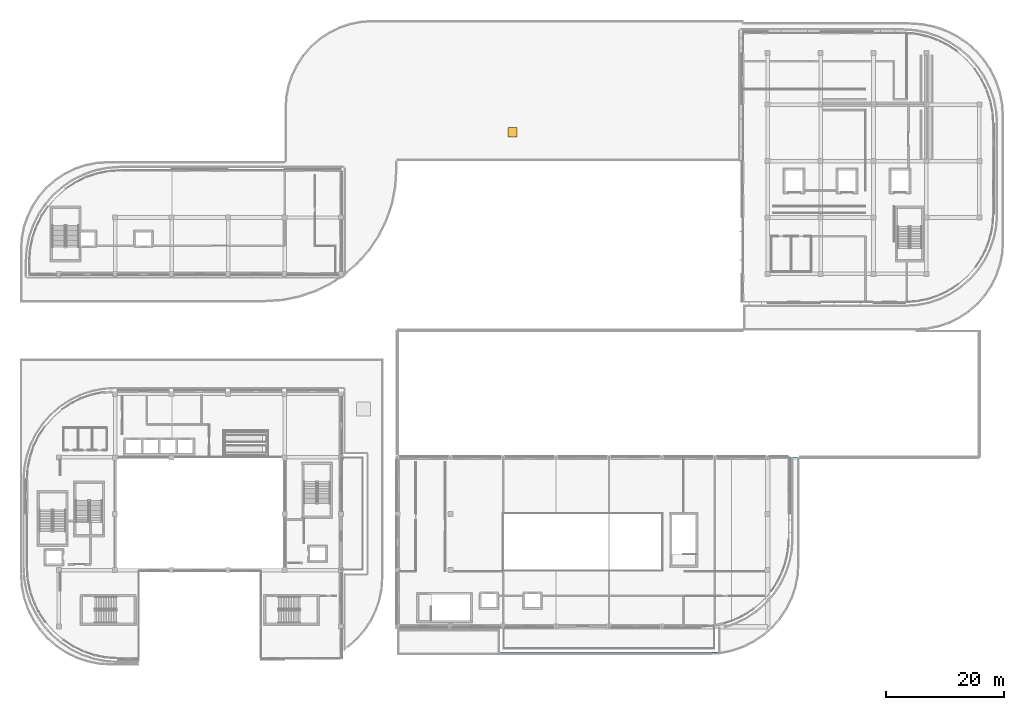
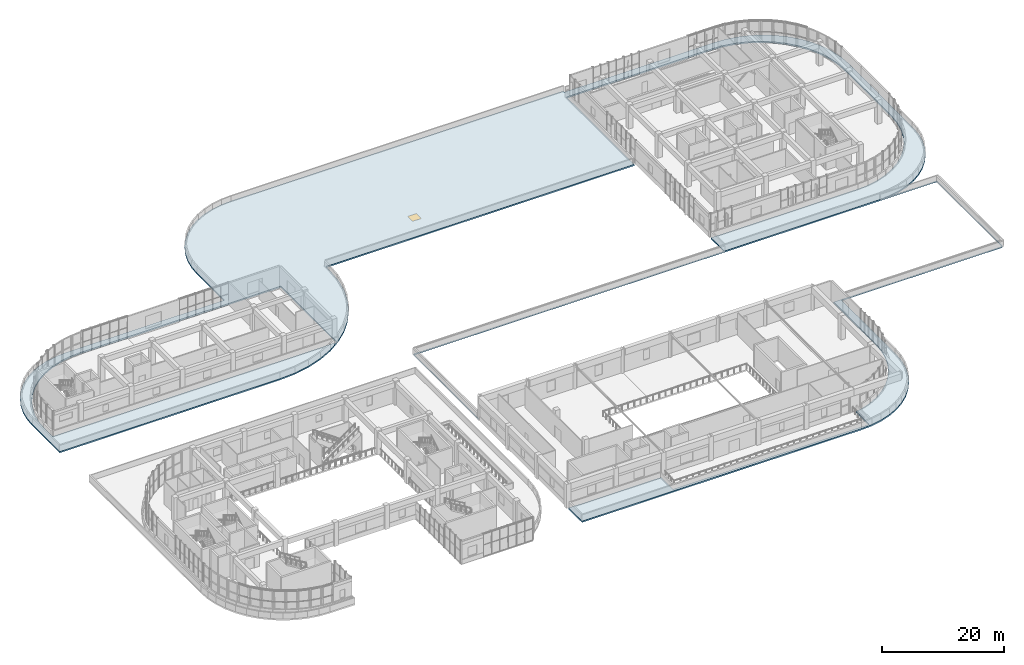
# One storey, part 30 of 67: 1 slab, 1 window, 1 opening.
"""IFC4 building model written with IfcOpenShell, lengths in metres."""

from ifc_helpers import new_model, si_unit, direction, frame, origin, origin_2d, place, context, subcontext, project, spatial, polyline, rectangle, outline, extrude, material, layer, layer_set, type_object, element, fill, save


model = new_model("IFC4")

# Units and contexts
model_context = context("Model", 3, precision=1e-05, world=origin(), true_north=direction((0.0, 1.0)))
body_context = subcontext(model_context, "Body", "Model", "MODEL_VIEW")
ifc_project = project(units=[si_unit("LENGTHUNIT", "METRE"), si_unit("AREAUNIT", "SQUARE_METRE"), si_unit("VOLUMEUNIT", "CUBIC_METRE"), si_unit("PLANEANGLEUNIT", "RADIAN"), si_unit("MASSUNIT", "GRAM", prefix="KILO")], contexts=[model_context])

# Site, building, storey
site_placement = place(None, origin())
site = spatial("IfcSite", under=ifc_project, at=site_placement, CompositionType="ELEMENT")
building_placement = place(site_placement, origin())
building = spatial("IfcBuilding", under=site, at=building_placement, Name="Cendralis Terraced Arcade", CompositionType="ELEMENT")
storey_placement = place(building_placement, frame((0.0, 0.0, 15.0)))
storey = spatial("IfcBuildingStorey", under=building, at=storey_placement, Name="L03", CompositionType="ELEMENT", Elevation=15.0)

# Slab, opening, window
ifc_material_1 = material(Name="Concrete f'c 35 MPa", Category="concrete")
ifc_layer = layer(ifc_material_1, 0.27490234375, Name="SLB-ROOF-275")
ifc_layer_set = layer_set([ifc_layer], Name="Concrete f'c 35 MPa")
slab_type = type_object("IfcSlabType", Name="SLB-ROOF-275", PredefinedType="ROOF", material=ifc_layer_set)
slab_placement = place(storey_placement, frame((0.0, 0.0, -0.27490234375)))
slab = element("IfcSlab", 1, at=slab_placement, inside=storey, type_object=slab_type, Name="Insulated Flat Concrete Roof Slab ROOF-FLAT-L03-1", PredefinedType="ROOF", context=body_context, shape_type="SweptSolid", body=[
    extrude(outline(polyline([(155.61279296875, 64.510986328125), (157.59130859375, 64.904541015625), (159.50146484375, 65.552978515625), (161.310546875, 66.445068359375), (162.987548828125, 67.56591796875), (164.504150390625, 68.895751953125), (165.834228515625, 70.412353515625), (166.954833984375, 72.089599609375), (167.84716796875, 73.898681640625), (168.49560546875, 75.808837890625), (168.888916015625, 77.787109375), (169.02001953125, 79.786376953125), (169.02001953125, 95.11376953125), (168.884765625, 97.177978515625), (168.478515625, 99.220703125), (167.80908203125, 101.192626953125), (166.887939453125, 103.060302734375), (165.73095703125, 104.7919921875), (164.35791015625, 106.35791015625), (162.7919921875, 107.73095703125), (161.060302734375, 108.887939453125), (159.192626953125, 109.80908203125), (157.220703125, 110.478515625), (155.177978515625, 110.884765625), (153.11376953125, 111.02001953125), (125.580078125, 111.02001953125), (125.580078125, 88.800048828125), (67.199951171875, 88.800048828125), (67.199951171875, 87.300048828125), (67.007568359375, 84.36328125), (66.433349609375, 81.4765625), (65.4873046875, 78.689697265625), (64.185546875, 76.050048828125), (62.550537109375, 73.602783203125), (60.60986328125, 71.39013671875), (58.397216796875, 69.449462890625), (58.02001953125, 69.197509765625), (58.02001953125, 87.6201171875), (20.086181640625, 87.6201171875), (18.02197265625, 87.484619140625), (15.9794921875, 87.07861328125), (14.00732421875, 86.408935546875), (12.1396484375, 85.48779296875), (10.407958984375, 84.330810546875), (8.84228515625, 82.957763671875), (7.468994140625, 81.39208984375), (6.31201171875, 79.660400390625), (5.39111328125, 77.792724609375), (4.721435546875, 75.820556640625), (4.315185546875, 73.778076171875), (4.179931640625, 71.713623046875), (4.179931640625, 69.179931640625), (57.993896484375, 69.179931640625), (55.949951171875, 67.814453125), (53.310302734375, 66.5126953125), (50.5234375, 65.566650390625), (47.63671875, 64.992431640625), (44.699951171875, 64.800048828125), (3.0, 64.800048828125), (3.0, 73.800048828125), (3.12841796875, 75.7578125), (3.510986328125, 77.682373046875), (4.141845703125, 79.540283203125), (5.009521484375, 81.300048828125), (6.099609375, 82.931396484375), (7.393310546875, 84.406494140625), (8.86865234375, 85.7001953125), (10.5, 86.790283203125), (12.259765625, 87.658203125), (14.11767578125, 88.288818359375), (16.0419921875, 88.671630859375), (18.0, 88.800048828125), (48.0, 88.800048828125), (48.0, 97.800048828125), (48.12841796875, 99.7578125), (48.510986328125, 101.682373046875), (49.141845703125, 103.540283203125), (50.009521484375, 105.300048828125), (51.099609375, 106.931396484375), (52.393310546875, 108.406494140625), (53.86865234375, 109.7001953125), (55.5, 110.790283203125), (57.259765625, 111.658203125), (59.11767578125, 112.288818359375), (61.0419921875, 112.671630859375), (63.0, 112.800048828125), (126.0, 112.800048828125), (126.0, 112.39990234375), (154.39990234375, 112.39990234375), (156.48828125, 112.26318359375), (158.541015625, 111.854736328125), (160.52294921875, 111.18212890625), (162.39990234375, 110.25634765625), (164.14013671875, 109.09375), (165.713623046875, 107.713623046875), (167.09375, 106.14013671875), (168.25634765625, 104.39990234375), (169.18212890625, 102.52294921875), (169.854736328125, 100.541015625), (170.26318359375, 98.48828125), (170.39990234375, 96.39990234375), (170.39990234375, 75.0), (170.271728515625, 73.0419921875), (169.888916015625, 71.11767578125), (169.25830078125, 69.259765625), (168.390380859375, 67.5), (167.30029296875, 65.86865234375), (166.006591796875, 64.393310546875), (164.531494140625, 63.099609375), (162.89990234375, 62.009521484375), (161.140380859375, 61.141845703125), (159.2822265625, 60.510986328125), (157.35791015625, 60.12841796875), (155.39990234375, 60.0), (166.199951171875, 60.0), (166.199951171875, 38.39990234375), (135.60009765625, 38.39990234375), (135.60009765625, 20.300048828125), (135.46728515625, 18.27685546875), (135.072021484375, 16.288330078125), (134.420166015625, 14.368408203125), (133.5234375, 12.550048828125), (132.39697265625, 10.8642578125), (131.060302734375, 9.33984375), (129.535888671875, 8.0029296875), (127.85009765625, 6.876708984375), (126.031494140625, 5.97998046875), (124.11181640625, 5.328125), (122.123291015625, 4.9326171875), (120.10009765625, 4.800048828125), (67.199951171875, 4.800048828125), (67.199951171875, 9.179931640625), (84.64990234375, 9.179931640625), (84.64990234375, 5.25), (121.75, 5.25), (121.75, 9.497314453125), (122.791259765625, 9.70458984375), (124.701416015625, 10.352783203125), (126.510498046875, 11.2451171875), (128.1875, 12.36572265625), (129.7041015625, 13.69580078125), (131.0341796875, 15.21240234375), (132.15478515625, 16.889404296875), (133.047119140625, 18.698486328125), (133.695556640625, 20.60888671875), (134.089111328125, 22.587158203125), (134.219970703125, 24.586181640625), (134.219970703125, 38.419921875), (166.179931640625, 38.419921875), (166.179931640625, 59.97998046875), (67.219970703125, 59.97998046875), (67.199951171875, 38.820068359375), (67.199951171875, 60.0), (126.0, 60.0), (126.0, 64.3798828125), (153.61376953125, 64.3798828125), (155.61279296875, 64.510986328125)])), origin(), (0.0, 0.0, 1.0), 0.27490234375),
])
opening_placement = place(slab_placement, frame((86.7900390625, 93.68798828125, 0.0)))
opening = element("IfcOpeningElement", 2, at=opening_placement, cuts=slab, Name="Opening SK-04", PredefinedType="OPENING", context=body_context, shape_type="SweptSolid", body=[
    extrude(rectangle(XDim=1.60009765625, YDim=1.60009765625, at=origin_2d()), frame((0.0, 0.0, -0.011962890625)), (0.0, 0.0, 1.0), 0.298828125),
])
ifc_material_2 = material(Name="Tempered solar control laminated glass", Category="glass")
window_type = type_object("IfcWindowType", Name="SKY-1600x1600", PartitioningType="SINGLE_PANEL", PredefinedType="SKYLIGHT", material=ifc_material_2)
window_placement = place(opening_placement, frame((0.0, 0.0, 0.224853515625)))
window = element("IfcWindow", 3, at=window_placement, inside=storey, type_object=window_type, Name="Insulated Laminated Glass Roof Skylight SKY-L03-04", OverallHeight=1.60009765625, OverallWidth=1.60009765625, PartitioningType="SINGLE_PANEL", PredefinedType="SKYLIGHT", context=body_context, shape_type="SweptSolid", body=[
    extrude(rectangle(XDim=1.60009765625, YDim=1.60009765625, at=origin_2d()), origin(), (0.0, 0.0, 1.0), 0.050048828125),
])
fill(opening, window)

save(model, "model.ifc")
